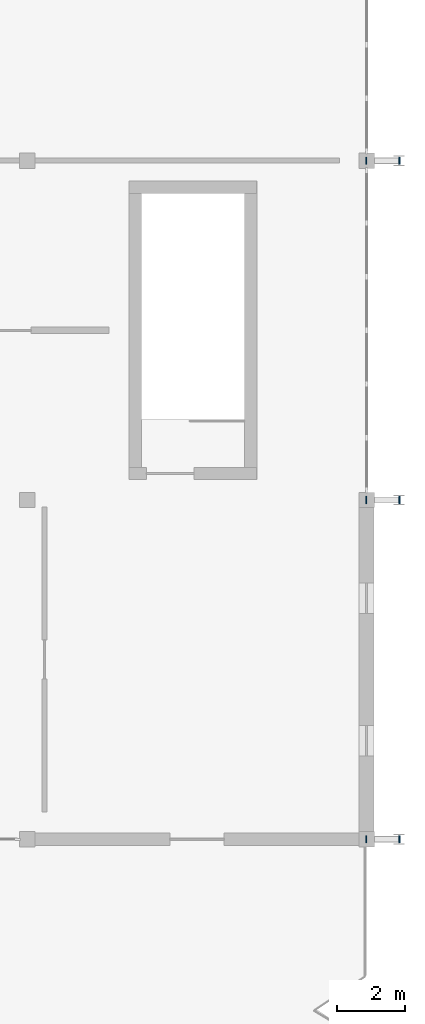
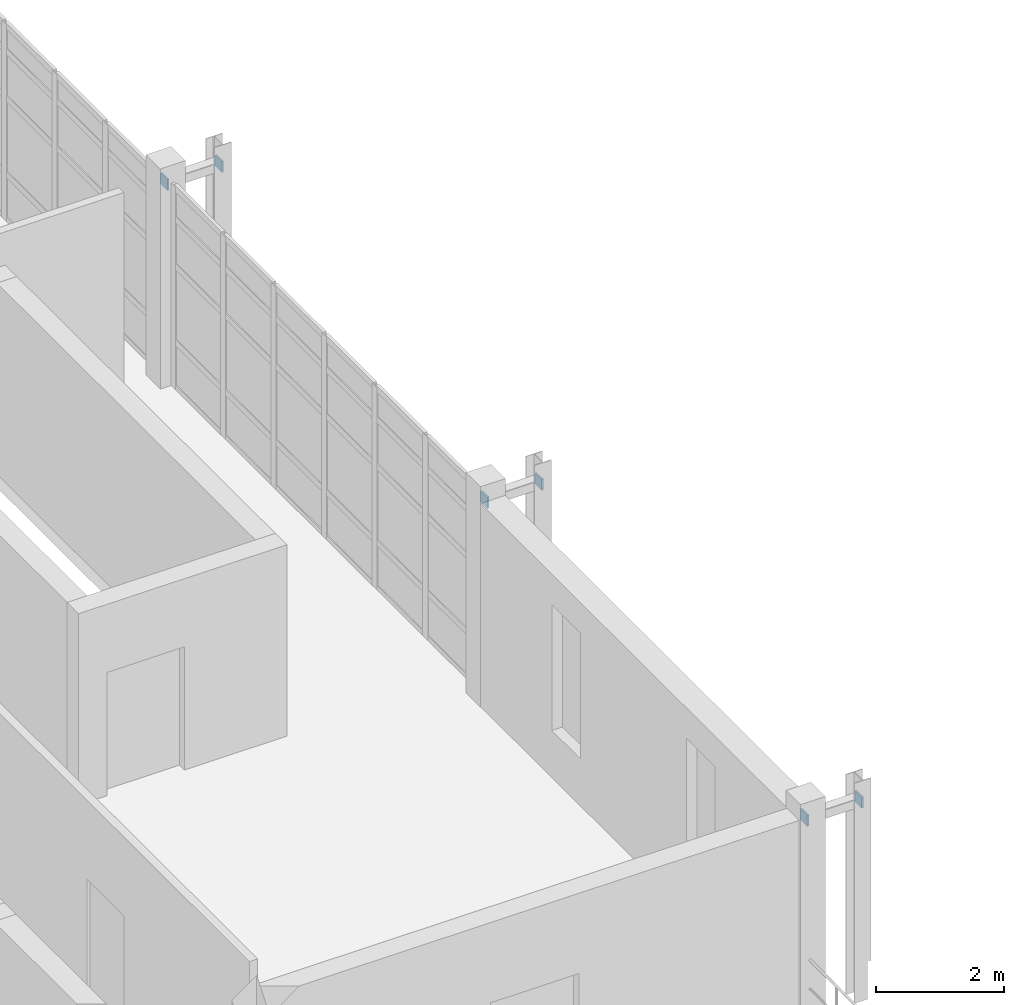
# One storey, part 102 of 122: 6 plates.
"""IFC4 building model written with IfcOpenShell, lengths in metres."""

from ifc_helpers import new_model, si_unit, direction, frame, origin, origin_2d, place, context, subcontext, project, spatial, rectangle, extrude, material, layer, layer_set, type_object, element, save


model = new_model("IFC4")

# Units and contexts
model_context = context("Model", 3, precision=1e-05, world=origin(), true_north=direction((0.0, 1.0)))
body_context = subcontext(model_context, "Body", "Model", "MODEL_VIEW")
ifc_project = project(units=[si_unit("LENGTHUNIT", "METRE"), si_unit("AREAUNIT", "SQUARE_METRE"), si_unit("VOLUMEUNIT", "CUBIC_METRE"), si_unit("PLANEANGLEUNIT", "RADIAN"), si_unit("MASSUNIT", "GRAM", prefix="KILO"), si_unit("THERMODYNAMICTEMPERATUREUNIT", "KELVIN"), si_unit("POWERUNIT", "WATT")], contexts=[model_context])

# Site, building, storey
site_placement = place(None, origin())
site = spatial("IfcSite", under=ifc_project, at=site_placement, CompositionType="ELEMENT")
building_placement = place(site_placement, origin())
building = spatial("IfcBuilding", under=site, at=building_placement, Name="Korenveer Ferry Terminal", CompositionType="ELEMENT")
storey_placement = place(building_placement, frame((0.0, 0.0, 10.199951171875)))
storey = spatial("IfcBuildingStorey", under=building, at=storey_placement, Name="L02", CompositionType="ELEMENT", Elevation=10.199951171875)

# Plates
ifc_material = material(Name="Steel S355", Category="steel")
ifc_layer = layer(ifc_material, 0.031982421875)
ifc_layer_set = layer_set([ifc_layer], Name="Steel S355")
plate_type = type_object("IfcPlateType", Name="STR-PLT-CAP32", PredefinedType="USERDEFINED", material=ifc_layer_set)
for number, where, z_axis, x_axis, name in (
    (1, (175.9677734375, 20.0, 3.75), (1.0, 0.0, 0.0), (0.0, 1.0, 0.0), "Hollow section end cap 117"),
    (2, (176.9501953125, 20.0, 3.75), (1.0, 0.0, 0.0), (0.0, 1.0, 0.0), "Hollow section end cap 118"),
    (3, (175.9677734375, 30.0, 3.75), (1.0, 0.0, 0.0), (0.0, 1.0, 0.0), "Hollow section end cap 123"),
    (4, (176.9501953125, 30.0, 3.75), (1.0, 0.0, 0.0), (0.0, 1.0, 0.0), "Hollow section end cap 124"),
    (5, (175.9677734375, 40.0, 3.75), (1.0, 0.0, 0.0), (0.0, 1.0, 0.0), "Hollow section end cap 129"),
    (6, (176.9501953125, 40.0, 3.75), (1.0, 0.0, 0.0), (0.0, 1.0, 0.0), "Hollow section end cap 130"),
):
    element("IfcPlate", number, at=place(storey_placement, frame(where, z_axis=z_axis, x_axis=x_axis)), inside=storey, type_object=plate_type, Name=name, ObjectType="END CAP PLATE", PredefinedType="USERDEFINED", context=body_context, shape_type="SweptSolid", body=[
        extrude(rectangle(XDim=0.2099609375, YDim=0.2099609375, at=origin_2d()), origin(), (0.0, 0.0, 1.0), 0.031982421875),
    ])

save(model, "model.ifc")
